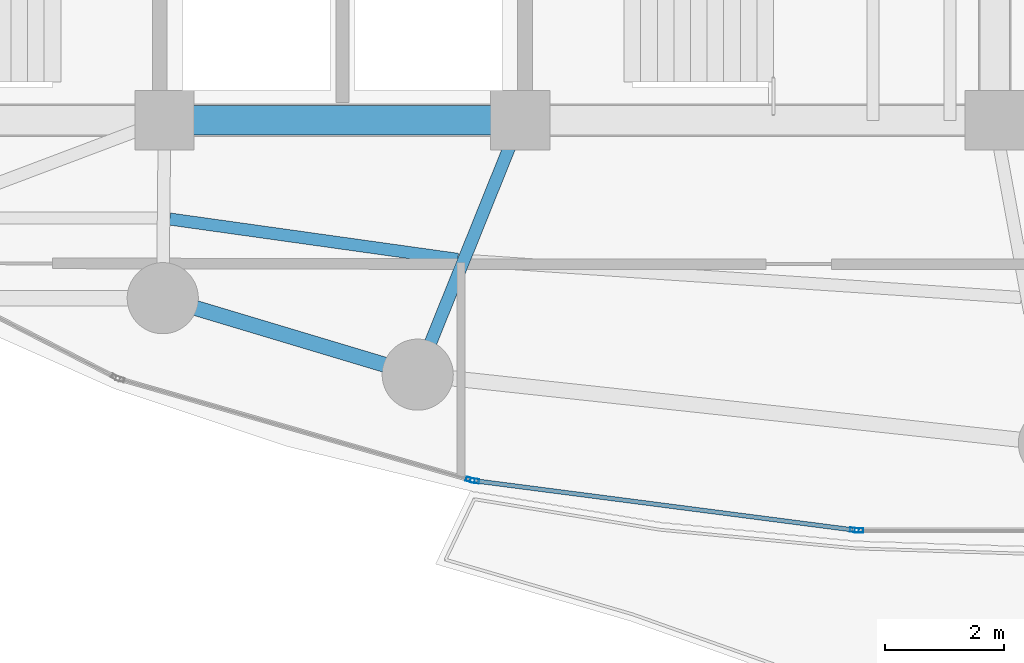
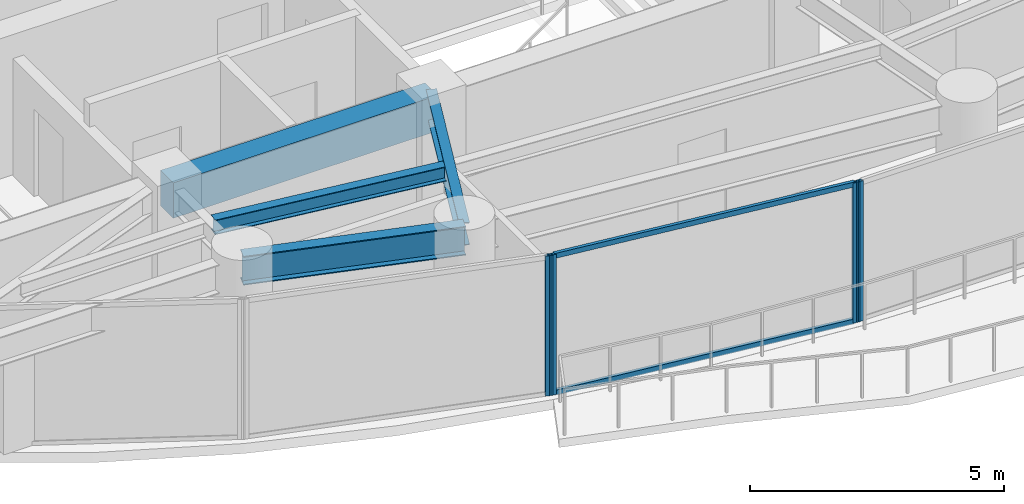
# One storey, part 5 of 30: 6 members, 4 beams, 3 elements without a shape of their own.
"""IFC4 building model written with IfcOpenShell, lengths in metres."""

from ifc_helpers import new_model, si_unit, direction, frame, origin, origin_2d, place, context, subcontext, project, spatial, rectangle, hollow_rectangle, i_section, extrude, material, layer, layer_set, material_profile, profile_set, type_object, element, aggregate, save


model = new_model("IFC4")

# Units and contexts
model_context = context("Model", 3, precision=1e-05, world=origin(), true_north=direction((0.0, 1.0)))
body_context = subcontext(model_context, "Body", "Model", "MODEL_VIEW")
ifc_project = project(units=[si_unit("LENGTHUNIT", "METRE"), si_unit("AREAUNIT", "SQUARE_METRE"), si_unit("VOLUMEUNIT", "CUBIC_METRE"), si_unit("PLANEANGLEUNIT", "RADIAN"), si_unit("MASSUNIT", "GRAM", prefix="KILO")], contexts=[model_context])

# Site, building, storey
site_placement = place(None, origin())
site = spatial("IfcSite", under=ifc_project, at=site_placement, CompositionType="ELEMENT")
building_placement = place(site_placement, origin())
building = spatial("IfcBuilding", under=site, at=building_placement, Name="Kazevale Care Tower and Concert Hall", CompositionType="ELEMENT")
storey_placement = place(building_placement, frame((0.0, 0.0, 131.39990234375)))
storey = spatial("IfcBuildingStorey", under=building, at=storey_placement, Name="L34", CompositionType="ELEMENT", Elevation=131.39990234375)

# Curtain wall, member
ifc_material_1 = material(Name="Aluminium 6063-T6 and Low-E Glass", Category="aluminium")
ifc_layer = layer(ifc_material_1, 0.179931640625)
ifc_layer_set = layer_set([ifc_layer], Name="Aluminium 6063-T6 and Low-E Glass")
curtain_wall_type = type_object("IfcCurtainWallType", Name="Sheltered Concave Balcony Curtain Wall CW-5", PredefinedType="NOTDEFINED", material=ifc_layer_set)
curtain_wall_1_placement = place(storey_placement, origin())
curtain_wall_1 = element("IfcCurtainWall", 1, at=curtain_wall_1_placement, inside=storey, type_object=curtain_wall_type, Name="cw:L34:f06", PredefinedType="NOTDEFINED")
ifc_material_2 = material(Name="Aluminium 6063-T6", Category="aluminium")
ifc_material_profile_1 = material_profile(ifc_material_2, hollow_rectangle(XDim=0.074951171875, YDim=0.14990234375, WallThickness=0.00390625, at=origin_2d()), Name="ALU75x150x4")
ifc_profile_set_1 = profile_set([ifc_material_profile_1], Name="Aluminium 6063-T6")
member_type_1 = type_object("IfcMemberType", Name="CW-5 Mullion ALU75x150x4", PredefinedType="MULLION", material=ifc_profile_set_1)
member_1_placement = place(storey_placement, frame((41.71240234375, 16.68408203125, 0.0), z_axis=(0.0, 0.0, 1.0), x_axis=(0.0, -1.0, 0.0)))
member_1 = element("IfcMember", 2, at=member_1_placement, type_object=member_type_1, Name="CW-5 mullion 2", PredefinedType="MULLION", context=body_context, shape_type="SweptSolid", body=[
    extrude(hollow_rectangle(XDim=0.074951171875, YDim=0.14990234375, WallThickness=0.00390625, at=origin_2d()), origin(), (0.0, 0.0, 1.0), 3.360107421875),
])
aggregate(curtain_wall_1, [member_1])

# Curtain wall, members
curtain_wall_2_placement = place(storey_placement, origin())
curtain_wall_2 = element("IfcCurtainWall", 3, at=curtain_wall_2_placement, inside=storey, type_object=curtain_wall_type, Name="cw:L34:f07", PredefinedType="NOTDEFINED")
member_2_placement = place(storey_placement, frame((41.6376953125, 16.688720703125, 0.0), z_axis=(0.0, 0.0, 1.0), x_axis=(-0.12868500567, -0.991685519364, 0.0)))
member_2 = element("IfcMember", 4, at=member_2_placement, type_object=member_type_1, Name="CW-5 mullion 1", PredefinedType="MULLION", context=body_context, shape_type="SweptSolid", body=[
    extrude(hollow_rectangle(XDim=0.074951171875, YDim=0.14990234375, WallThickness=0.00390625, at=origin_2d()), origin(), (0.0, 0.0, 1.0), 3.360107421875),
])
member_3_placement = place(storey_placement, frame((35.231201171875, 17.520263671875, 0.0), z_axis=(0.0, 0.0, 1.0), x_axis=(-0.12868500567, -0.991685519364, 0.0)))
member_3 = element("IfcMember", 5, at=member_3_placement, type_object=member_type_1, Name="CW-5 mullion 2", PredefinedType="MULLION", context=body_context, shape_type="SweptSolid", body=[
    extrude(hollow_rectangle(XDim=0.074951171875, YDim=0.14990234375, WallThickness=0.00390625, at=origin_2d()), origin(), (0.0, 0.0, 1.0), 3.360107421875),
])

# Curtain wall, member
curtain_wall_3_placement = place(storey_placement, origin())
curtain_wall_3 = element("IfcCurtainWall", 6, at=curtain_wall_3_placement, inside=storey, type_object=curtain_wall_type, Name="cw:L34:f08", PredefinedType="NOTDEFINED")
member_4_placement = place(storey_placement, frame((35.157958984375, 17.535400390625, 0.0), z_axis=(0.0, 0.0, 1.0), x_axis=(-0.276290733172, -0.961074102639, 0.0)))
member_4 = element("IfcMember", 7, at=member_4_placement, type_object=member_type_1, Name="CW-5 mullion 1", PredefinedType="MULLION", context=body_context, shape_type="SweptSolid", body=[
    extrude(hollow_rectangle(XDim=0.074951171875, YDim=0.14990234375, WallThickness=0.00390625, at=origin_2d()), origin(), (0.0, 0.0, 1.0), 3.360107421875),
])
aggregate(curtain_wall_3, [member_4])

# Member
ifc_material_profile_2 = material_profile(ifc_material_2, hollow_rectangle(XDim=0.074951171875, YDim=0.1201171875, WallThickness=0.00390625, at=origin_2d()), Name="ALU75x120x4")
ifc_profile_set_2 = profile_set([ifc_material_profile_2], Name="Aluminium 6063-T6")
member_type_2 = type_object("IfcMemberType", Name="CW-5 Transom ALU75x120x4", PredefinedType="USERDEFINED", material=ifc_profile_set_2)
member_5_placement = place(storey_placement, frame((41.6005859375, 16.693603515625, 0.03759765625), z_axis=(-0.991683991743, 0.12869677743, 0.0), x_axis=(-0.12869677743, -0.991683991743, 0.0)))
member_5 = element("IfcMember", 8, at=member_5_placement, type_object=member_type_2, Name="CW-5 transom 1.1", ObjectType="TRANSOM", PredefinedType="USERDEFINED", context=body_context, shape_type="SweptSolid", body=[
    extrude(hollow_rectangle(XDim=0.074951171875, YDim=0.1201171875, WallThickness=0.00390625, at=origin_2d()), origin(), (0.0, 0.0, 1.0), 6.385498046875),
])

member_6_placement = place(storey_placement, frame((41.6005859375, 16.693603515625, 3.322509765625), z_axis=(-0.991683991743, 0.12869677743, 0.0), x_axis=(-0.12869677743, -0.991683991743, 0.0)))
member_6 = element("IfcMember", 9, at=member_6_placement, type_object=member_type_2, Name="CW-5 transom 1.2", ObjectType="TRANSOM", PredefinedType="USERDEFINED", context=body_context, shape_type="SweptSolid", body=[
    extrude(hollow_rectangle(XDim=0.074951171875, YDim=0.1201171875, WallThickness=0.00390625, at=origin_2d()), origin(), (0.0, 0.0, 1.0), 6.385498046875),
])

aggregate(curtain_wall_2, [member_2, member_3, member_5, member_6])

# Beams
ifc_material_3 = material(Name="Concrete C60", Category="concrete")
ifc_material_profile_3 = material_profile(ifc_material_3, rectangle(XDim=0.5, YDim=0.85009765625, at=origin_2d()), Name="RC-B500x850")
ifc_profile_set_3 = profile_set([ifc_material_profile_3], Name="Concrete C60")
beam_type_1 = type_object("IfcBeamType", Name="Core Coupling Beam RC500x850", PredefinedType="LINTEL", material=ifc_profile_set_3)
beam_1_placement = place(storey_placement, frame((30.0, 23.60009765625, 2.93505859375), z_axis=(1.0, 0.0, 0.0), x_axis=(0.0, 1.0, 0.0)))
element("IfcBeam", 10, at=beam_1_placement, inside=storey, type_object=beam_type_1, Name="beam:L34:coretie:2", PredefinedType="LINTEL", context=body_context, shape_type="SweptSolid", body=[
    extrude(rectangle(XDim=0.5, YDim=0.85009765625, at=origin_2d()), origin(), (0.0, 0.0, 1.0), 6.0),
])
ifc_material_4 = material(Name="Steel ASTM A572 Gr 50", Category="steel")
ifc_material_profile_4 = material_profile(ifc_material_4, i_section(OverallWidth=0.2119140625, OverallDepth=0.5439453125, WebThickness=0.01318359375, FlangeThickness=0.021240234375, at=origin_2d()), Name="W530x123")
ifc_profile_set_4 = profile_set([ifc_material_profile_4], Name="Steel ASTM A572 Gr 50")
beam_type_2 = type_object("IfcBeamType", Name="Radial Floor Girder W530x123", PredefinedType="BEAM", material=ifc_profile_set_4)
beam_2_placement = place(storey_placement, frame((36.0, 23.60009765625, 3.088134765625), z_axis=(-0.373991766452, -0.927432023722, 0.0), x_axis=(0.927432023722, -0.373991766452, 0.0)))
element("IfcBeam", 11, at=beam_2_placement, inside=storey, type_object=beam_type_2, Name="beam:L34:rad:12", PredefinedType="BEAM", context=body_context, shape_type="SweptSolid", body=[
    extrude(i_section(OverallWidth=0.2119140625, OverallDepth=0.5439453125, WebThickness=0.01318359375, FlangeThickness=0.021240234375, at=origin_2d()), origin(), (0.0, 0.0, 1.0), 4.625732421875),
])
ifc_material_profile_5 = material_profile(ifc_material_4, i_section(OverallWidth=0.205078125, OverallDepth=0.35400390625, WebThickness=0.009521484375, FlangeThickness=0.016845703125, at=origin_2d()), Name="W360x79")
ifc_profile_set_5 = profile_set([ifc_material_profile_5], Name="Steel ASTM A572 Gr 50")
beam_type_3 = type_object("IfcBeamType", Name="Secondary Floor Joist W360x79", PredefinedType="JOIST", material=ifc_profile_set_5)
beam_3_placement = place(storey_placement, frame((30.0869140625, 21.93505859375, 3.18310546875), z_axis=(0.990340789942, -0.138654678164, 0.0), x_axis=(0.138654678164, 0.990340789942, 0.0)))
element("IfcBeam", 12, at=beam_3_placement, inside=storey, type_object=beam_type_3, Name="beam:L34:joist:11", PredefinedType="JOIST", context=body_context, shape_type="SweptSolid", body=[
    extrude(i_section(OverallWidth=0.205078125, OverallDepth=0.35400390625, WebThickness=0.009521484375, FlangeThickness=0.016845703125, at=origin_2d()), origin(), (0.0, 0.0, 1.0), 4.905517578125),
])
ifc_material_profile_6 = material_profile(ifc_material_4, i_section(OverallWidth=0.256103515625, OverallDepth=0.693115234375, WebThickness=0.014404296875, FlangeThickness=0.023681640625, at=origin_2d()), Name="W690x170")
ifc_profile_set_6 = profile_set([ifc_material_profile_6], Name="Steel ASTM A572 Gr 50")
beam_type_4 = type_object("IfcBeamType", Name="Waist Ring Beam W690x170", PredefinedType="BEAM", material=ifc_profile_set_6)
beam_4_placement = place(storey_placement, frame((29.969970703125, 20.60009765625, 3.013671875), z_axis=(0.957824788464, -0.287352874709, 0.0), x_axis=(0.287352874709, 0.957824788464, 0.0)))
element("IfcBeam", 13, at=beam_4_placement, inside=storey, type_object=beam_type_4, Name="beam:L34:ring:11", PredefinedType="BEAM", context=body_context, shape_type="SweptSolid", body=[
    extrude(i_section(OverallWidth=0.256103515625, OverallDepth=0.693115234375, WebThickness=0.014404296875, FlangeThickness=0.023681640625, at=origin_2d()), origin(), (0.0, 0.0, 1.0), 4.489501953125),
])

save(model, "model.ifc")
